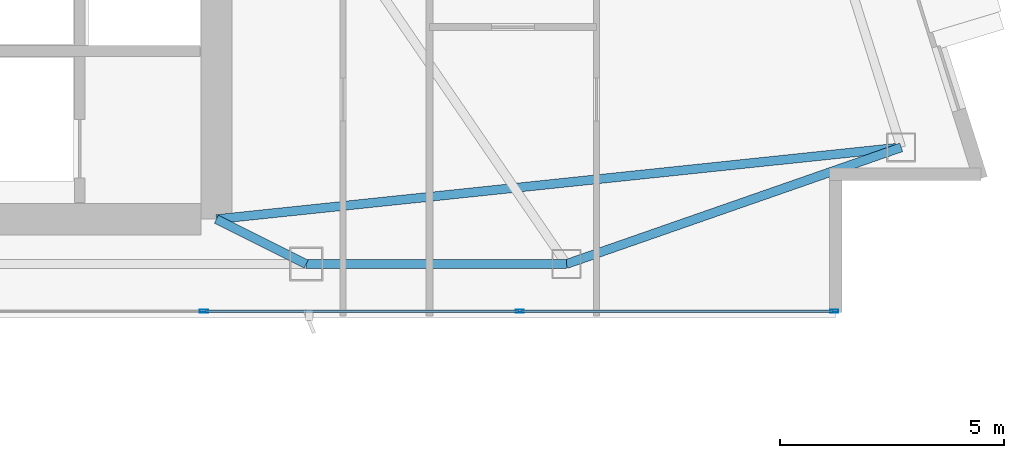
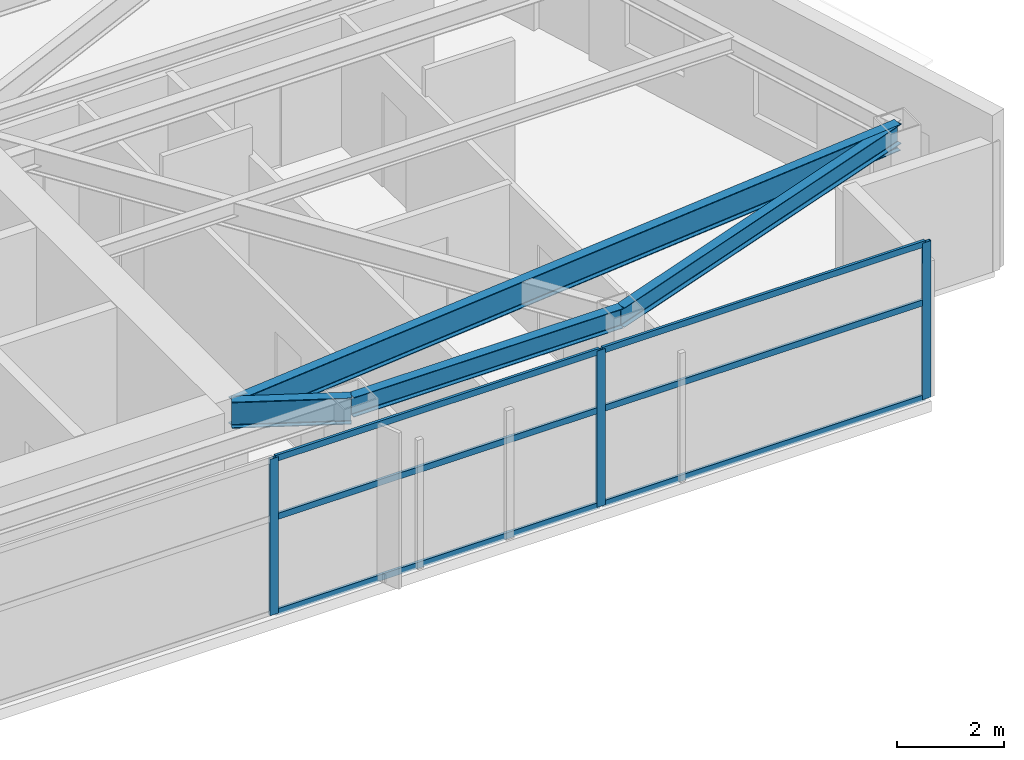
# One storey, part 13 of 27: 9 members, 4 beams, 1 element without a shape of its own.
"""IFC4 building model written with IfcOpenShell, lengths in metres."""

from ifc_helpers import new_model, si_unit, direction, frame, origin, origin_2d, place, context, subcontext, project, spatial, hollow_rectangle, i_section, extrude, material, layer, layer_set, material_profile, profile_set, type_object, element, aggregate, save


model = new_model("IFC4")

# Units and contexts
model_context = context("Model", 3, precision=1e-05, world=origin(), true_north=direction((0.0, 1.0)))
body_context = subcontext(model_context, "Body", "Model", "MODEL_VIEW")
ifc_project = project(units=[si_unit("LENGTHUNIT", "METRE"), si_unit("AREAUNIT", "SQUARE_METRE"), si_unit("VOLUMEUNIT", "CUBIC_METRE"), si_unit("PLANEANGLEUNIT", "RADIAN"), si_unit("MASSUNIT", "GRAM", prefix="KILO")], contexts=[model_context])

# Site, building, storey
site_placement = place(None, origin())
site = spatial("IfcSite", under=ifc_project, at=site_placement, CompositionType="ELEMENT")
building_placement = place(site_placement, origin())
building = spatial("IfcBuilding", under=site, at=building_placement, Name="Calvorn Quay Hotel", CompositionType="ELEMENT")
storey_placement = place(building_placement, frame((0.0, 0.0, 223.10009765625)))
storey = spatial("IfcBuildingStorey", under=building, at=storey_placement, Name="L55", CompositionType="ELEMENT", Elevation=223.10009765625)

# Beams
ifc_material_1 = material(Name="Steel Q355B", Category="steel")
ifc_material_profile_1 = material_profile(ifc_material_1, i_section(OverallWidth=0.199951171875, OverallDepth=0.60009765625, WebThickness=0.010986328125, FlangeThickness=0.01708984375, FilletRadius=0.01806640625, at=origin_2d()), Name="HN600x200x11x17")
ifc_profile_set_1 = profile_set([ifc_material_profile_1], Name="Steel Q355B")
beam_type_1 = type_object("IfcBeamType", Name="BM-GIRD-TYP", PredefinedType="BEAM", material=ifc_profile_set_1)
beam_1_placement = place(storey_placement, frame((34.39990234375, 3.60009765625, 3.239990234375), z_axis=(-0.894427191, 0.4472135955, 0.0), x_axis=(-0.4472135955, -0.894427191, 0.0)))
element("IfcBeam", 1, at=beam_1_placement, inside=storey, type_object=beam_type_1, Name="Beam BG-L55-S3", PredefinedType="BEAM", context=body_context, shape_type="SweptSolid", body=[
    extrude(i_section(OverallWidth=0.199951171875, OverallDepth=0.60009765625, WebThickness=0.010986328125, FlangeThickness=0.01708984375, FilletRadius=0.01806640625, at=origin_2d()), origin(), (0.0, 0.0, 1.0), 2.236083984375),
])
beam_2_placement = place(storey_placement, frame((32.39990234375, 4.60009765625, 3.239990234375), z_axis=(0.99454991229, 0.10426155554, 0.0), x_axis=(-0.10426155554, 0.99454991229, 0.0)))
element("IfcBeam", 2, at=beam_2_placement, inside=storey, type_object=beam_type_1, Name="Beam BG-L55-E1", PredefinedType="BEAM", context=body_context, shape_type="SweptSolid", body=[
    extrude(i_section(OverallWidth=0.199951171875, OverallDepth=0.60009765625, WebThickness=0.010986328125, FlangeThickness=0.01708984375, FilletRadius=0.01806640625, at=origin_2d()), origin(), (0.0, 0.0, 1.0), 15.3447265625),
])
ifc_material_2 = material(Name="Steel Q355B", Category="steel")
ifc_material_profile_2 = material_profile(ifc_material_2, i_section(OverallWidth=0.199951171875, OverallDepth=0.449951171875, WebThickness=0.009033203125, FlangeThickness=0.013916015625, FilletRadius=0.01611328125, at=origin_2d()), Name="HN450x200x9x14")
ifc_profile_set_2 = profile_set([ifc_material_profile_2], Name="Steel Q355B")
beam_type_2 = type_object("IfcBeamType", Name="BM-SPANDREL-Z3", PredefinedType="SPANDREL", material=ifc_profile_set_2)
beam_3_placement = place(storey_placement, frame((34.39990234375, 3.60009765625, 3.31494140625), z_axis=(1.0, 0.0, 0.0), x_axis=(0.0, 1.0, 0.0)))
element("IfcBeam", 3, at=beam_3_placement, inside=storey, type_object=beam_type_2, Name="Beam BSP-L55-S4", PredefinedType="SPANDREL", context=body_context, shape_type="SweptSolid", body=[
    extrude(i_section(OverallWidth=0.199951171875, OverallDepth=0.449951171875, WebThickness=0.009033203125, FlangeThickness=0.013916015625, FilletRadius=0.01611328125, at=origin_2d()), origin(), (0.0, 0.0, 1.0), 5.800048828125),
])
beam_4_placement = place(storey_placement, frame((40.199951171875, 3.60009765625, 3.31494140625), z_axis=(0.944310305586, 0.329056297257, 0.0), x_axis=(-0.329056297257, 0.944310305586, 0.0)))
element("IfcBeam", 4, at=beam_4_placement, inside=storey, type_object=beam_type_2, Name="Beam BSP-L55-S5", PredefinedType="SPANDREL", context=body_context, shape_type="SweptSolid", body=[
    extrude(i_section(OverallWidth=0.199951171875, OverallDepth=0.449951171875, WebThickness=0.009033203125, FlangeThickness=0.013916015625, FilletRadius=0.01611328125, at=origin_2d()), origin(), (0.0, 0.0, 1.0), 7.90087890625),
])

# Curtain wall, members
ifc_material_3 = material(Name="Champagne Bronze Anodised Aluminium and Low-E Glass", Category="aluminium")
ifc_layer = layer(ifc_material_3, 0.219970703125)
ifc_layer_set = layer_set([ifc_layer], Name="CW-SYS-Z3")
curtain_wall_type = type_object("IfcCurtainWallType", Name="CW-SYS-Z3", PredefinedType="NOTDEFINED", material=ifc_layer_set)
curtain_wall_placement = place(storey_placement, origin())
curtain_wall = element("IfcCurtainWall", 5, at=curtain_wall_placement, inside=storey, type_object=curtain_wall_type, Name="Tower South Waterfront Curtain Wall (L55)", PredefinedType="NOTDEFINED")
ifc_material_4 = material(Name="Champagne Bronze Anodised Aluminium 6063-T6", Category="aluminium")
ifc_material_profile_3 = material_profile(ifc_material_4, hollow_rectangle(XDim=0.068115234375, YDim=0.18505859375, WallThickness=0.00390625, at=origin_2d()), Name="ALU-M185x68x4")
ifc_profile_set_3 = profile_set([ifc_material_profile_3], Name="Champagne Bronze Anodised Aluminium 6063-T6")
member_type_1 = type_object("IfcMemberType", Name="CW-SYS-Z3-MUL", PredefinedType="MULLION", material=ifc_profile_set_3)
member_1_placement = place(storey_placement, frame((32.1201171875, 2.550048828125, 0.0), z_axis=(0.0, 0.0, 1.0), x_axis=(0.0, 1.0, 0.0)))
member_1 = element("IfcMember", 6, at=member_1_placement, type_object=member_type_1, Name="CW-L55-S mullion 4", PredefinedType="MULLION", context=body_context, shape_type="SweptSolid", body=[
    extrude(hollow_rectangle(XDim=0.068115234375, YDim=0.18505859375, WallThickness=0.00390625, at=origin_2d()), origin(), (0.0, 0.0, 1.0), 3.559814453125),
])
member_2_placement = place(storey_placement, frame((39.159912109375, 2.550048828125, 0.0), z_axis=(0.0, 0.0, 1.0), x_axis=(0.0, 1.0, 0.0)))
member_2 = element("IfcMember", 7, at=member_2_placement, type_object=member_type_1, Name="CW-L55-S mullion 5", PredefinedType="MULLION", context=body_context, shape_type="SweptSolid", body=[
    extrude(hollow_rectangle(XDim=0.068115234375, YDim=0.18505859375, WallThickness=0.00390625, at=origin_2d()), origin(), (0.0, 0.0, 1.0), 3.559814453125),
])
member_3_placement = place(storey_placement, frame((46.169921875, 2.550048828125, 0.0), z_axis=(0.0, 0.0, 1.0), x_axis=(0.0, 1.0, 0.0)))
member_3 = element("IfcMember", 8, at=member_3_placement, type_object=member_type_1, Name="CW-L55-S mullion 6", PredefinedType="MULLION", context=body_context, shape_type="SweptSolid", body=[
    extrude(hollow_rectangle(XDim=0.068115234375, YDim=0.18505859375, WallThickness=0.00390625, at=origin_2d()), origin(), (0.0, 0.0, 1.0), 3.559814453125),
])
ifc_material_5 = material(Name="Champagne Bronze Anodised Aluminium 6063-T6", Category="aluminium")
ifc_material_profile_4 = material_profile(ifc_material_5, hollow_rectangle(XDim=0.05810546875, YDim=0.139892578125, WallThickness=0.003173828125, at=origin_2d()), Name="ALU-T140x58x3.2")
ifc_profile_set_4 = profile_set([ifc_material_profile_4], Name="Champagne Bronze Anodised Aluminium 6063-T6")
member_type_2 = type_object("IfcMemberType", Name="CW-SYS-Z3-TRN", PredefinedType="USERDEFINED", material=ifc_profile_set_4)
member_4_placement = place(storey_placement, frame((32.14990234375, 2.550048828125, 0.02978515625), z_axis=(1.0, 0.0, 0.0), x_axis=(0.0, 1.0, 0.0)))
member_4 = element("IfcMember", 9, at=member_4_placement, type_object=member_type_2, Name="CW-L55-S transom 4.1", ObjectType="TRANSOM", PredefinedType="USERDEFINED", context=body_context, shape_type="SweptSolid", body=[
    extrude(hollow_rectangle(XDim=0.05810546875, YDim=0.139892578125, WallThickness=0.003173828125, at=origin_2d()), origin(), (0.0, 0.0, 1.0), 6.97998046875),
])
member_5_placement = place(storey_placement, frame((32.14990234375, 2.550048828125, 2.199951171875), z_axis=(1.0, 0.0, 0.0), x_axis=(0.0, 1.0, 0.0)))
member_5 = element("IfcMember", 10, at=member_5_placement, type_object=member_type_2, Name="CW-L55-S transom 4.2", ObjectType="TRANSOM", PredefinedType="USERDEFINED", context=body_context, shape_type="SweptSolid", body=[
    extrude(hollow_rectangle(XDim=0.05810546875, YDim=0.139892578125, WallThickness=0.003173828125, at=origin_2d()), origin(), (0.0, 0.0, 1.0), 6.97998046875),
])
member_6_placement = place(storey_placement, frame((32.14990234375, 2.550048828125, 3.52978515625), z_axis=(1.0, 0.0, 0.0), x_axis=(0.0, 1.0, 0.0)))
member_6 = element("IfcMember", 11, at=member_6_placement, type_object=member_type_2, Name="CW-L55-S transom 4.3", ObjectType="TRANSOM", PredefinedType="USERDEFINED", context=body_context, shape_type="SweptSolid", body=[
    extrude(hollow_rectangle(XDim=0.05810546875, YDim=0.139892578125, WallThickness=0.003173828125, at=origin_2d()), origin(), (0.0, 0.0, 1.0), 6.97998046875),
])
member_7_placement = place(storey_placement, frame((39.18994140625, 2.550048828125, 0.02978515625), z_axis=(1.0, 0.0, 0.0), x_axis=(0.0, 1.0, 0.0)))
member_7 = element("IfcMember", 12, at=member_7_placement, type_object=member_type_2, Name="CW-L55-S transom 5.1", ObjectType="TRANSOM", PredefinedType="USERDEFINED", context=body_context, shape_type="SweptSolid", body=[
    extrude(hollow_rectangle(XDim=0.05810546875, YDim=0.139892578125, WallThickness=0.003173828125, at=origin_2d()), origin(), (0.0, 0.0, 1.0), 6.949951171875),
])
member_8_placement = place(storey_placement, frame((39.18994140625, 2.550048828125, 2.199951171875), z_axis=(1.0, 0.0, 0.0), x_axis=(0.0, 1.0, 0.0)))
member_8 = element("IfcMember", 13, at=member_8_placement, type_object=member_type_2, Name="CW-L55-S transom 5.2", ObjectType="TRANSOM", PredefinedType="USERDEFINED", context=body_context, shape_type="SweptSolid", body=[
    extrude(hollow_rectangle(XDim=0.05810546875, YDim=0.139892578125, WallThickness=0.003173828125, at=origin_2d()), origin(), (0.0, 0.0, 1.0), 6.949951171875),
])
member_9_placement = place(storey_placement, frame((39.18994140625, 2.550048828125, 3.52978515625), z_axis=(1.0, 0.0, 0.0), x_axis=(0.0, 1.0, 0.0)))
member_9 = element("IfcMember", 14, at=member_9_placement, type_object=member_type_2, Name="CW-L55-S transom 5.3", ObjectType="TRANSOM", PredefinedType="USERDEFINED", context=body_context, shape_type="SweptSolid", body=[
    extrude(hollow_rectangle(XDim=0.05810546875, YDim=0.139892578125, WallThickness=0.003173828125, at=origin_2d()), origin(), (0.0, 0.0, 1.0), 6.949951171875),
])
aggregate(curtain_wall, [member_1, member_2, member_3, member_4, member_5, member_6, member_7, member_8, member_9])

save(model, "model.ifc")
